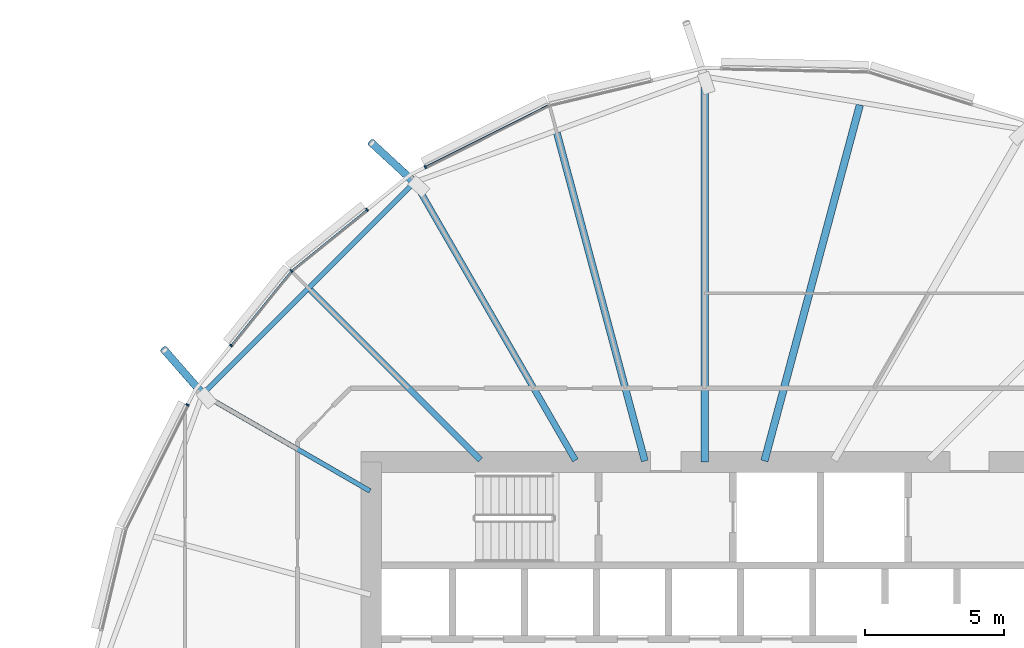
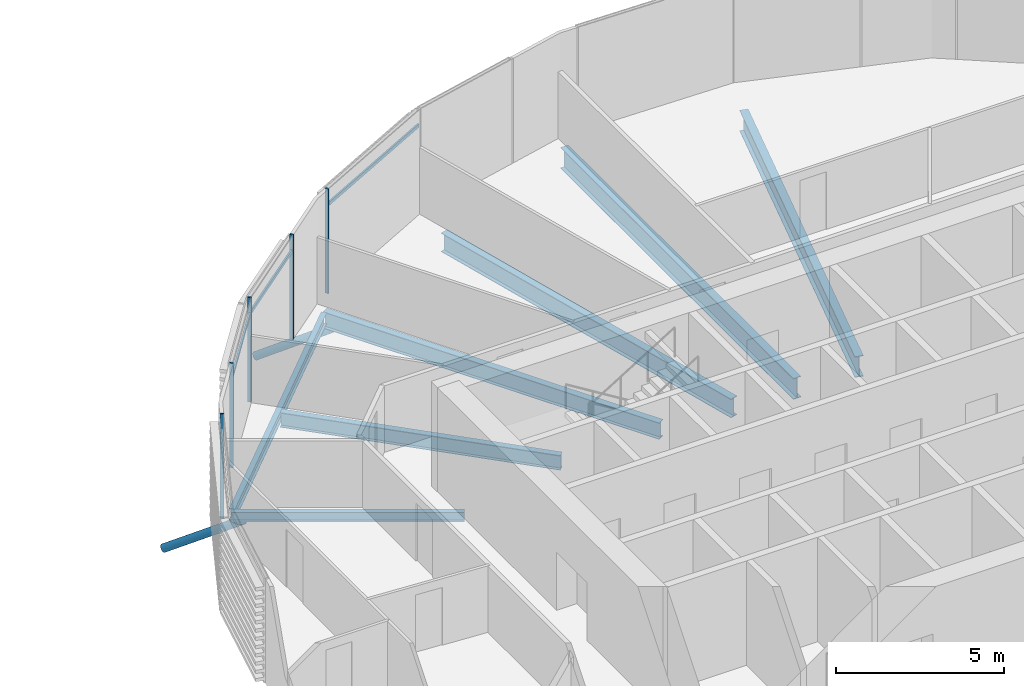
# One storey, part 16 of 39: 10 members, 7 beams, 1 element without a shape of its own.
"""IFC4 building model written with IfcOpenShell, lengths in metres."""

from ifc_helpers import new_model, si_unit, direction, frame, origin, origin_2d, place, context, subcontext, project, spatial, rectangle, hollow_circle, i_section, extrude, clip, halfspace, material, material_profile, profile_set, type_object, element, aggregate, save


model = new_model("IFC4")

# Units and contexts
model_context = context("Model", 3, precision=1e-05, world=origin(), true_north=direction((0.0, 1.0)))
body_context = subcontext(model_context, "Body", "Model", "MODEL_VIEW")
ifc_project = project(units=[si_unit("LENGTHUNIT", "METRE"), si_unit("AREAUNIT", "SQUARE_METRE"), si_unit("VOLUMEUNIT", "CUBIC_METRE"), si_unit("PLANEANGLEUNIT", "RADIAN"), si_unit("MASSUNIT", "GRAM", prefix="KILO")], contexts=[model_context])

# Site, building, storey
site_placement = place(None, origin())
site = spatial("IfcSite", under=ifc_project, at=site_placement, CompositionType="ELEMENT")
building_placement = place(site_placement, origin())
building = spatial("IfcBuilding", under=site, at=building_placement, Name="Rimbun Link Towers", CompositionType="ELEMENT")
storey_placement = place(building_placement, frame((0.0, 0.0, 96.800048828125)))
storey = spatial("IfcBuildingStorey", under=building, at=storey_placement, Name="L23", CompositionType="ELEMENT", Elevation=96.800048828125)

# Curtain wall, members
ifc_material_1 = material(Name="Aluminium 6063-T6 and low-iron glass", Category="aluminium")
curtain_wall_type = type_object("IfcCurtainWallType", Name="CW1-Z2 unitised vision wall (zone 2)", PredefinedType="NOTDEFINED", material=ifc_material_1)
curtain_wall_placement = place(storey_placement, origin())
curtain_wall = element("IfcCurtainWall", 1, at=curtain_wall_placement, inside=storey, type_object=curtain_wall_type, Name="CW1 L23 T2", PredefinedType="NOTDEFINED")
ifc_material_2 = material(Name="Aluminium 6063-T6", Category="aluminium")
ifc_material_profile_1 = material_profile(ifc_material_2, rectangle(XDim=0.1201171875, YDim=0.06005859375, at=origin_2d()), Name="MULLION 60X120")
ifc_profile_set_1 = profile_set([ifc_material_profile_1], Name="Aluminium 6063-T6")
member_type_1 = type_object("IfcMemberType", Name="CW1 mullion 60X120", PredefinedType="MULLION", material=ifc_profile_set_1)
member_1_placement = place(storey_placement, frame((21.69873046875, 18.6142578125, 0.0), z_axis=(0.0, 0.0, 1.0), x_axis=(-0.448782301468, 0.893641116942, 0.0)))
member_1 = element("IfcMember", 2, at=member_1_placement, type_object=member_type_1, Name="CW1 mullion", PredefinedType="MULLION", context=body_context, shape_type="SweptSolid", body=[
    extrude(rectangle(XDim=0.1201171875, YDim=0.06005859375, at=origin_2d()), origin(), (0.0, 0.0, 1.0), 3.800048828125),
])
member_2_placement = place(storey_placement, frame((16.87451171875, 14.87548828125, 0.0), z_axis=(0.0, 0.0, 1.0), x_axis=(-0.707106781187, 0.707106781187, 0.0)))
member_2 = element("IfcMember", 3, at=member_2_placement, type_object=member_type_1, Name="CW1 mullion", PredefinedType="MULLION", context=body_context, shape_type="SweptSolid", body=[
    extrude(rectangle(XDim=0.1201171875, YDim=0.06005859375, at=origin_2d()), origin(), (0.0, 0.0, 1.0), 3.800048828125),
])
member_3_placement = place(storey_placement, frame((19.59716796875, 17.07958984375, 0.0), z_axis=(0.0, 0.0, 1.0), x_axis=(-0.629155313069, 0.777279609946, 0.0)))
member_3 = element("IfcMember", 4, at=member_3_placement, type_object=member_type_1, Name="CW1 mullion", PredefinedType="MULLION", context=body_context, shape_type="SweptSolid", body=[
    extrude(rectangle(XDim=0.1201171875, YDim=0.06005859375, at=origin_2d()), origin(), (0.0, 0.0, 1.0), 3.800048828125),
])
member_4_placement = place(storey_placement, frame((14.701904296875, 12.191650390625, 0.0), z_axis=(0.0, 0.0, 1.0), x_axis=(-0.777279609946, 0.629155313069, 0.0)))
member_4 = element("IfcMember", 5, at=member_4_placement, type_object=member_type_1, Name="CW1 mullion", PredefinedType="MULLION", context=body_context, shape_type="SweptSolid", body=[
    extrude(rectangle(XDim=0.1201171875, YDim=0.06005859375, at=origin_2d()), origin(), (0.0, 0.0, 1.0), 3.800048828125),
])
member_5_placement = place(storey_placement, frame((13.1357421875, 10.05126953125, 0.0), z_axis=(0.0, 0.0, 1.0), x_axis=(-0.893641116942, 0.448782301468, 0.0)))
member_5 = element("IfcMember", 6, at=member_5_placement, type_object=member_type_1, Name="CW1 mullion", PredefinedType="MULLION", context=body_context, shape_type="SweptSolid", body=[
    extrude(rectangle(XDim=0.1201171875, YDim=0.06005859375, at=origin_2d()), origin(), (0.0, 0.0, 1.0), 3.800048828125),
])
ifc_material_3 = material(Name="Aluminium 6063-T6", Category="aluminium")
ifc_material_profile_2 = material_profile(ifc_material_3, rectangle(XDim=0.06005859375, YDim=0.1201171875, at=origin_2d()), Name="TRANSOM 60X120")
ifc_profile_set_2 = profile_set([ifc_material_profile_2], Name="Aluminium 6063-T6")
member_type_2 = type_object("IfcMemberType", Name="CW1 transom 60X120", PredefinedType="USERDEFINED", material=ifc_profile_set_2)
member_6_placement = place(storey_placement, frame((21.7265625, 18.6259765625, 3.199951171875), z_axis=(0.893642051411, 0.448780440695, 0.0), x_axis=(-0.448780440695, 0.893642051411, 0.0)))
member_6 = element("IfcMember", 7, at=member_6_placement, type_object=member_type_2, Name="CW1 transom", ObjectType="TRANSOM", PredefinedType="USERDEFINED", context=body_context, shape_type="SweptSolid", body=[
    extrude(rectangle(XDim=0.06005859375, YDim=0.1201171875, at=origin_2d()), origin(), (0.0, 0.0, 1.0), 4.921630859375),
])
member_7_placement = place(storey_placement, frame((16.90380859375, 14.89697265625, 3.199951171875), z_axis=(0.777307731396, 0.629120569297, 0.0), x_axis=(-0.629120569297, 0.777307731396, 0.0)))
member_7 = element("IfcMember", 8, at=member_7_placement, type_object=member_type_2, Name="CW1 transom", ObjectType="TRANSOM", PredefinedType="USERDEFINED", context=body_context, shape_type="SweptSolid", body=[
    extrude(rectangle(XDim=0.06005859375, YDim=0.1201171875, at=origin_2d()), origin(), (0.0, 0.0, 1.0), 3.436767578125),
])
member_8_placement = place(storey_placement, frame((14.72216796875, 12.213623046875, 3.199951171875), z_axis=(0.629150533444, 0.777283478704, 0.0), x_axis=(-0.777283478704, 0.629150533444, 0.0)))
member_8 = element("IfcMember", 9, at=member_8_placement, type_object=member_type_2, Name="CW1 transom", ObjectType="TRANSOM", PredefinedType="USERDEFINED", context=body_context, shape_type="SweptSolid", body=[
    extrude(rectangle(XDim=0.06005859375, YDim=0.1201171875, at=origin_2d()), origin(), (0.0, 0.0, 1.0), 3.386962890625),
])
aggregate(curtain_wall, [member_1, member_2, member_3, member_4, member_5, member_6, member_7, member_8])

# Members
ifc_material_4 = material(Name="Steel S355J2H", Category="steel")
ifc_material_profile_3 = material_profile(ifc_material_4, hollow_circle(Radius=0.136474609375, WallThickness=0.012451171875, at=origin_2d()), Name="CHS 273x12.5")
ifc_profile_set_3 = profile_set([ifc_material_profile_3], Name="Steel S355J2H")
member_type_3 = type_object("IfcMemberType", Name="Floor edge link CHS 273x12.5", PredefinedType="BRACE", material=ifc_profile_set_3)
member_9_placement = place(storey_placement, frame((21.341064453125, 18.02880859375, -0.8798828125), z_axis=(-0.634248679709, 0.584723695111, -0.505793250907), x_axis=(-0.677818915434, -0.735228888089, 0.0)))
element("IfcMember", 10, at=member_9_placement, inside=storey, type_object=member_type_3, Name="Floor edge link T2 L23 05", PredefinedType="BRACE", context=body_context, shape_type="Clipping", body=[
    clip(extrude(hollow_circle(Radius=0.136474609375, WallThickness=0.012451171875, at=origin_2d()), frame((0.0, 0.0, -0.4853515625)), (0.0, 0.0, 1.0), 3.00927734375), halfspace(frame((0.0, 0.0, -0.227783203125), z_axis=(0.0, 0.862654732403, -0.505793250907)), False)),
])
member_10_placement = place(storey_placement, frame((13.72119140625, 10.408935546875, -0.6298828125), z_axis=(-0.556181157811, 0.635487598942, -0.535553948064), x_axis=(-0.75250069059, -0.658591459602, 0.0)))
element("IfcMember", 11, at=member_10_placement, inside=storey, type_object=member_type_3, Name="Floor edge link T2 L23 07", PredefinedType="BRACE", context=body_context, shape_type="Clipping", body=[
    clip(extrude(hollow_circle(Radius=0.136474609375, WallThickness=0.012451171875, at=origin_2d()), frame((0.0, 0.0, -0.44921875)), (0.0, 0.0, 1.0), 3.041259765625), halfspace(frame((0.0, 0.0, -0.210693359375), z_axis=(0.0, 0.844501017592, -0.535553948064)), False)),
])

# Beams
ifc_material_5 = material(Name="Steel S355J2", Category="steel")
ifc_material_profile_4 = material_profile(ifc_material_5, i_section(OverallWidth=0.17138671875, OverallDepth=0.35498046875, WebThickness=0.00732421875, FlangeThickness=0.011474609375, at=origin_2d()), Name="UB 356x171x51")
ifc_profile_set_4 = profile_set([ifc_material_profile_4], Name="Steel S355J2")
beam_type_1 = type_object("IfcBeamType", Name="UB 356x171x51", PredefinedType="BEAM", material=ifc_profile_set_4)
beam_1_placement = place(storey_placement, frame((19.706298828125, 6.95361328125, -0.337646484375), z_axis=(-0.866039570911, 0.499975461013, 0.0), x_axis=(-0.499975461013, -0.866039570911, 0.0)))
element("IfcBeam", 12, at=beam_1_placement, inside=storey, type_object=beam_type_1, Name="Radial beam T2 L23 07", PredefinedType="BEAM", context=body_context, shape_type="SweptSolid", body=[
    extrude(i_section(OverallWidth=0.17138671875, OverallDepth=0.35498046875, WebThickness=0.00732421875, FlangeThickness=0.011474609375, at=origin_2d()), origin(), (0.0, 0.0, 1.0), 6.960693359375),
])
ifc_material_6 = material(Name="Steel S355J2", Category="steel")
ifc_material_profile_5 = material_profile(ifc_material_6, i_section(OverallWidth=0.177978515625, OverallDepth=0.406494140625, WebThickness=0.0078125, FlangeThickness=0.0126953125, at=origin_2d()), Name="UB 406x178x60")
ifc_profile_set_5 = profile_set([ifc_material_profile_5], Name="Steel S355J2")
beam_type_2 = type_object("IfcBeamType", Name="UB 406x178x60", PredefinedType="BEAM", material=ifc_profile_set_5)
beam_2_placement = place(storey_placement, frame((21.23193359375, 17.988037109375, -0.36328125), z_axis=(-0.707095257752, -0.707118304434, 0.0), x_axis=(0.707118304434, -0.707095257752, 0.0)))
element("IfcBeam", 13, at=beam_2_placement, inside=storey, type_object=beam_type_2, Name="Edge beam T2 L23 05-07", PredefinedType="BEAM", context=body_context, shape_type="SweptSolid", body=[
    extrude(i_section(OverallWidth=0.177978515625, OverallDepth=0.406494140625, WebThickness=0.0078125, FlangeThickness=0.0126953125, at=origin_2d()), origin(), (0.0, 0.0, 1.0), 10.59326171875),
])
ifc_material_7 = material(Name="Steel S355J2", Category="steel")
ifc_material_profile_6 = material_profile(ifc_material_7, i_section(OverallWidth=0.209228515625, OverallDepth=0.533203125, WebThickness=0.010009765625, FlangeThickness=0.015625, at=origin_2d()), Name="UB 533x210x92")
ifc_profile_set_6 = profile_set([ifc_material_profile_6], Name="Steel S355J2")
beam_type_3 = type_object("IfcBeamType", Name="UB 533x210x92", PredefinedType="BEAM", material=ifc_profile_set_6)
beam_3_placement = place(storey_placement, frame((23.67529296875, 8.07470703125, -0.426513671875), z_axis=(-0.707106781187, 0.707106781187, 0.0), x_axis=(-0.707106781187, -0.707106781187, 0.0)))
element("IfcBeam", 14, at=beam_3_placement, inside=storey, type_object=beam_type_3, Name="Radial beam T2 L23 06", PredefinedType="BEAM", context=body_context, shape_type="SweptSolid", body=[
    extrude(i_section(OverallWidth=0.209228515625, OverallDepth=0.533203125, WebThickness=0.010009765625, FlangeThickness=0.015625, at=origin_2d()), origin(), (0.0, 0.0, 1.0), 8.6474609375),
])
ifc_material_8 = material(Name="Steel S355J2", Category="steel")
ifc_material_profile_7 = material_profile(ifc_material_8, i_section(OverallWidth=0.2275390625, OverallDepth=0.6025390625, WebThickness=0.010498046875, FlangeThickness=0.014892578125, at=origin_2d()), Name="UB 610x229x101")
ifc_profile_set_7 = profile_set([ifc_material_profile_7], Name="Steel S355J2")
beam_type_4 = type_object("IfcBeamType", Name="UB 610x229x101", PredefinedType="BEAM", material=ifc_profile_set_7)
beam_4_placement = place(storey_placement, frame((27.097900390625, 8.057861328125, -0.46142578125), z_axis=(-0.500003905814, 0.86602314875, 0.0), x_axis=(-0.86602314875, -0.500003905814, 0.0)))
element("IfcBeam", 15, at=beam_4_placement, inside=storey, type_object=beam_type_4, Name="Radial beam T2 L23 05", PredefinedType="BEAM", context=body_context, shape_type="SweptSolid", body=[
    extrude(i_section(OverallWidth=0.2275390625, OverallDepth=0.6025390625, WebThickness=0.010498046875, FlangeThickness=0.014892578125, at=origin_2d()), origin(), (0.0, 0.0, 1.0), 11.5634765625),
])
ifc_material_9 = material(Name="Steel S355J2", Category="steel")
ifc_material_profile_8 = material_profile(ifc_material_9, i_section(OverallWidth=0.253662109375, OverallDepth=0.68359375, WebThickness=0.012451171875, FlangeThickness=0.01904296875, at=origin_2d()), Name="UB 686x254x140")
ifc_profile_set_8 = profile_set([ifc_material_profile_8], Name="Steel S355J2")
beam_type_5 = type_object("IfcBeamType", Name="UB 686x254x140", PredefinedType="BEAM", material=ifc_profile_set_8)
beam_5_placement = place(storey_placement, frame((29.597412109375, 8.03369140625, -0.501953125), z_axis=(-0.258823610988, 0.965924602852, 0.0), x_axis=(-0.965924602852, -0.258823610988, 0.0)))
element("IfcBeam", 16, at=beam_5_placement, inside=storey, type_object=beam_type_5, Name="Radial beam T2 L23 04", PredefinedType="BEAM", context=body_context, shape_type="SweptSolid", body=[
    extrude(i_section(OverallWidth=0.253662109375, OverallDepth=0.68359375, WebThickness=0.012451171875, FlangeThickness=0.01904296875, at=origin_2d()), origin(), (0.0, 0.0, 1.0), 12.222900390625),
])
ifc_material_10 = material(Name="Steel S355J2", Category="steel")
ifc_material_profile_9 = material_profile(ifc_material_10, i_section(OverallWidth=0.2666015625, OverallDepth=0.76220703125, WebThickness=0.014404296875, FlangeThickness=0.021484375, at=origin_2d()), Name="UB 762x267x173")
ifc_profile_set_9 = profile_set([ifc_material_profile_9], Name="Steel S355J2")
beam_type_6 = type_object("IfcBeamType", Name="UB 762x267x173", PredefinedType="BEAM", material=ifc_profile_set_9)
beam_6_placement = place(storey_placement, frame((33.903076171875, 8.035400390625, -0.541259765625), z_axis=(0.258820400429, 0.965925463129, 0.0), x_axis=(-0.965925463129, 0.258820400429, 0.0)))
element("IfcBeam", 17, at=beam_6_placement, inside=storey, type_object=beam_type_6, Name="Radial beam T2 L23 02", PredefinedType="BEAM", context=body_context, shape_type="SweptSolid", body=[
    extrude(i_section(OverallWidth=0.2666015625, OverallDepth=0.76220703125, WebThickness=0.014404296875, FlangeThickness=0.021484375, at=origin_2d()), origin(), (0.0, 0.0, 1.0), 13.267333984375),
])
beam_7_placement = place(storey_placement, frame((31.75, 8.0009765625, -0.541259765625), z_axis=(0.0, 1.0, 0.0), x_axis=(-1.0, 0.0, 0.0)))
element("IfcBeam", 18, at=beam_7_placement, inside=storey, type_object=beam_type_6, Name="Radial beam T2 L23 03", PredefinedType="BEAM", context=body_context, shape_type="SweptSolid", body=[
    extrude(i_section(OverallWidth=0.2666015625, OverallDepth=0.76220703125, WebThickness=0.014404296875, FlangeThickness=0.021484375, at=origin_2d()), origin(), (0.0, 0.0, 1.0), 13.870849609375),
])

save(model, "model.ifc")
